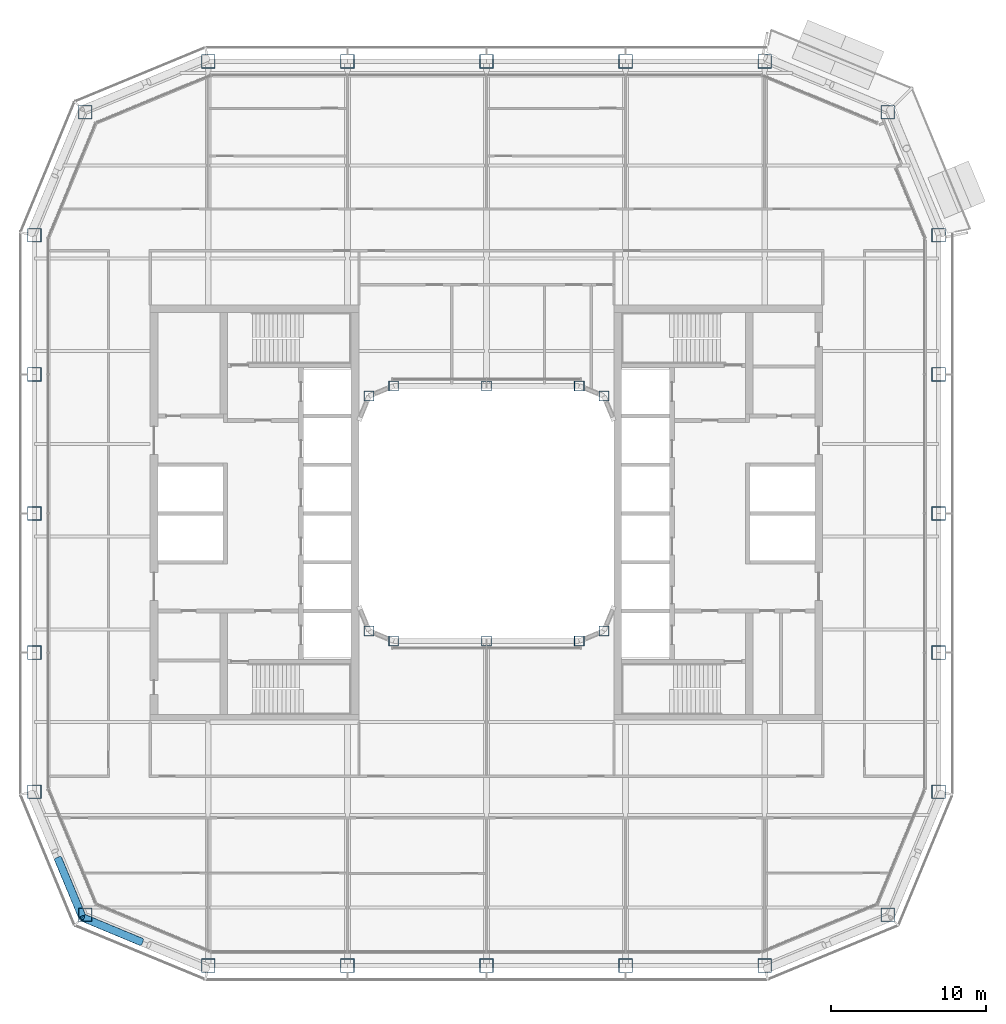
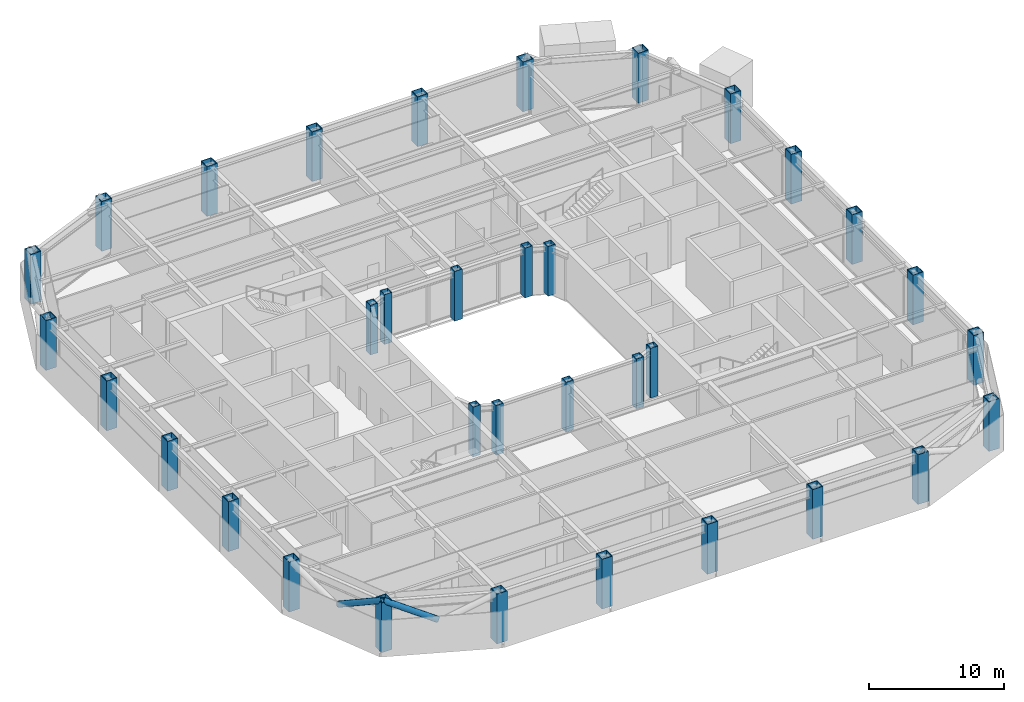
# One storey, part 1 of 24: 34 columns, 2 members.
"""IFC4 building model written with IfcOpenShell, lengths in metres."""

from ifc_helpers import new_model, si_unit, direction, frame, origin, origin_2d, place, context, subcontext, project, spatial, hollow_rectangle, hollow_circle, extrude, material, material_profile, profile_set, type_object, element, save


model = new_model("IFC4")

# Units and contexts
model_context = context("Model", 3, precision=1e-05, world=origin(), true_north=direction((0.0, 1.0)))
body_context = subcontext(model_context, "Body", "Model", "MODEL_VIEW")
ifc_project = project(units=[si_unit("LENGTHUNIT", "METRE"), si_unit("AREAUNIT", "SQUARE_METRE"), si_unit("VOLUMEUNIT", "CUBIC_METRE"), si_unit("PLANEANGLEUNIT", "RADIAN"), si_unit("MASSUNIT", "GRAM", prefix="KILO")], contexts=[model_context])

# Site, building, storey
site_placement = place(None, origin())
site = spatial("IfcSite", under=ifc_project, at=site_placement, CompositionType="ELEMENT")
building_placement = place(site_placement, origin())
building = spatial("IfcBuilding", under=site, at=building_placement, Name="Siwar Civic Tower", CompositionType="ELEMENT")
storey_placement = place(building_placement, frame((0.0, 0.0, 149.699951171875)))
storey = spatial("IfcBuildingStorey", under=building, at=storey_placement, Name="L32", CompositionType="ELEMENT", Elevation=149.699951171875)

# Columns
ifc_material_1 = material(Name="Steel S355", Category="steel")
ifc_material_profile_1 = material_profile(ifc_material_1, hollow_rectangle(XDim=0.89990234375, YDim=0.89990234375, WallThickness=0.050048828125, at=origin_2d()), Name="BOX900x900x50")
ifc_profile_set_1 = profile_set([ifc_material_profile_1], Name="Steel S355")
column_type_1 = type_object("IfcColumnType", Name="STR-COL-BOX900x900x50", PredefinedType="COLUMN", material=ifc_profile_set_1)
for number, where, z_axis, x_axis, name in (
    (1, (-18.0, -29.25, 0.0), (0.0, 0.0, 1.0), (1.0, 0.0, 0.0), "L32/col/S-0"),
    (2, (-9.0, -29.25, 0.0), (0.0, 0.0, 1.0), (1.0, 0.0, 0.0), "L32/col/S-1"),
    (3, (0.0, -29.25, 0.0), (0.0, 0.0, 1.0), (1.0, 0.0, 0.0), "L32/col/S-2"),
    (4, (9.0, -29.25, 0.0), (0.0, 0.0, 1.0), (1.0, 0.0, 0.0), "L32/col/S-3"),
    (5, (18.0, -29.25, 0.0), (0.0, 0.0, 1.0), (1.0, 0.0, 0.0), "L32/col/SE1-0"),
    (6, (25.954833984375, -25.954833984375, 0.0), (0.0, 0.0, 1.0), (1.0, 0.0, 0.0), "L32/col/SE2-0"),
    (7, (29.25, -18.0, 0.0), (0.0, 0.0, 1.0), (1.0, 0.0, 0.0), "L32/col/E-0"),
    (8, (29.25, -9.0, 0.0), (0.0, 0.0, 1.0), (1.0, 0.0, 0.0), "L32/col/E-1"),
    (9, (29.25, 0.0, 0.0), (0.0, 0.0, 1.0), (1.0, 0.0, 0.0), "L32/col/E-2"),
    (10, (29.25, 9.0, 0.0), (0.0, 0.0, 1.0), (1.0, 0.0, 0.0), "L32/col/E-3"),
    (11, (29.25, 18.0, 0.0), (0.0, 0.0, 1.0), (1.0, 0.0, 0.0), "L32/col/NE1-0"),
    (12, (25.954833984375, 25.954833984375, 0.0), (0.0, 0.0, 1.0), (1.0, 0.0, 0.0), "L32/col/NE2-0"),
    (13, (18.0, 29.25, 0.0), (0.0, 0.0, 1.0), (1.0, 0.0, 0.0), "L32/col/N-0"),
    (14, (9.0, 29.25, 0.0), (0.0, 0.0, 1.0), (1.0, 0.0, 0.0), "L32/col/N-1"),
    (15, (0.0, 29.25, 0.0), (0.0, 0.0, 1.0), (1.0, 0.0, 0.0), "L32/col/N-2"),
    (16, (-9.0, 29.25, 0.0), (0.0, 0.0, 1.0), (1.0, 0.0, 0.0), "L32/col/N-3"),
    (17, (-18.0, 29.25, 0.0), (0.0, 0.0, 1.0), (1.0, 0.0, 0.0), "L32/col/NW1-0"),
    (18, (-25.954833984375, 25.954833984375, 0.0), (0.0, 0.0, 1.0), (1.0, 0.0, 0.0), "L32/col/NW2-0"),
    (19, (-29.25, 18.0, 0.0), (0.0, 0.0, 1.0), (1.0, 0.0, 0.0), "L32/col/W-0"),
    (20, (-29.25, 9.0, 0.0), (0.0, 0.0, 1.0), (1.0, 0.0, 0.0), "L32/col/W-1"),
    (21, (-29.25, 0.0, 0.0), (0.0, 0.0, 1.0), (1.0, 0.0, 0.0), "L32/col/W-2"),
    (22, (-29.25, -9.0, 0.0), (0.0, 0.0, 1.0), (1.0, 0.0, 0.0), "L32/col/W-3"),
    (23, (-29.25, -18.0, 0.0), (0.0, 0.0, 1.0), (1.0, 0.0, 0.0), "L32/col/SW1-0"),
    (24, (-25.954833984375, -25.954833984375, 0.0), (0.0, 0.0, 1.0), (1.0, 0.0, 0.0), "L32/col/SW2-0"),
):
    element("IfcColumn", number, at=place(storey_placement, frame(where, z_axis=z_axis, x_axis=x_axis)), inside=storey, type_object=column_type_1, Name=name, PredefinedType="COLUMN", context=body_context, shape_type="SweptSolid", body=[
        extrude(hollow_rectangle(XDim=0.89990234375, YDim=0.89990234375, WallThickness=0.050048828125, at=origin_2d()), origin(), (0.0, 0.0, 1.0), 4.5),
    ])
ifc_material_2 = material(Name="Steel S355", Category="steel")
ifc_material_profile_2 = material_profile(ifc_material_2, hollow_rectangle(XDim=0.64990234375, YDim=0.64990234375, WallThickness=0.035888671875, at=origin_2d()), Name="BOX650x650x36")
ifc_profile_set_2 = profile_set([ifc_material_profile_2], Name="Steel S355")
column_type_2 = type_object("IfcColumnType", Name="STR-ICOL-BOX650x650x36", PredefinedType="COLUMN", material=ifc_profile_set_2)
for number, where, z_axis, x_axis, name in (
    (25, (-7.591064453125, -7.591064453125, 0.0), (0.0, 0.0, 1.0), (1.0, 0.0, 0.0), "L32/col/IS-0"),
    (26, (-6.0, -8.25, 0.0), (0.0, 0.0, 1.0), (1.0, 0.0, 0.0), "L32/col/IS-1"),
    (27, (0.0, -8.25, 0.0), (0.0, 0.0, 1.0), (1.0, 0.0, 0.0), "L32/col/IS-2"),
    (28, (6.0, -8.25, 0.0), (0.0, 0.0, 1.0), (1.0, 0.0, 0.0), "L32/col/IS-3"),
    (29, (7.591064453125, -7.591064453125, 0.0), (0.0, 0.0, 1.0), (1.0, 0.0, 0.0), "L32/col/IS-4"),
    (30, (-7.591064453125, 7.591064453125, 0.0), (0.0, 0.0, 1.0), (1.0, 0.0, 0.0), "L32/col/IN-0"),
    (31, (-6.0, 8.25, 0.0), (0.0, 0.0, 1.0), (1.0, 0.0, 0.0), "L32/col/IN-1"),
    (32, (0.0, 8.25, 0.0), (0.0, 0.0, 1.0), (1.0, 0.0, 0.0), "L32/col/IN-2"),
    (33, (6.0, 8.25, 0.0), (0.0, 0.0, 1.0), (1.0, 0.0, 0.0), "L32/col/IN-3"),
    (34, (7.591064453125, 7.591064453125, 0.0), (0.0, 0.0, 1.0), (1.0, 0.0, 0.0), "L32/col/IN-4"),
):
    element("IfcColumn", number, at=place(storey_placement, frame(where, z_axis=z_axis, x_axis=x_axis)), inside=storey, type_object=column_type_2, Name=name, PredefinedType="COLUMN", context=body_context, shape_type="SweptSolid", body=[
        extrude(hollow_rectangle(XDim=0.64990234375, YDim=0.64990234375, WallThickness=0.035888671875, at=origin_2d()), origin(), (0.0, 0.0, 1.0), 4.5),
    ])

# Members
ifc_material_3 = material(Name="Steel S355", Category="steel")
ifc_material_profile_3 = material_profile(ifc_material_3, hollow_circle(Radius=0.25390625, WallThickness=0.02490234375, at=origin_2d()), Name="CHS508x25")
ifc_profile_set_3 = profile_set([ifc_material_profile_3], Name="Steel S355")
member_type = type_object("IfcMemberType", Name="STR-BR-CHS508x25", PredefinedType="BRACE", material=ifc_profile_set_3)
for number, where, z_axis, x_axis, name in (
    (35, (-22.342529296875, -27.70849609375, 2.390625), (-0.821163134736, 0.341670737976, 0.457112910516), (-0.384154943021, -0.923268638995, 0.0), "L32/brc/BSW1-11-0-3"),
    (36, (-27.70849609375, -22.342529296875, 2.390625), (0.341670737976, -0.821163134736, 0.457112910516), (0.923268638995, 0.384154943021, 0.0), "L32/brc/BSW1-11-0-5"),
):
    element("IfcMember", number, at=place(storey_placement, frame(where, z_axis=z_axis, x_axis=x_axis)), inside=storey, type_object=member_type, Name=name, PredefinedType="BRACE", context=body_context, shape_type="SweptSolid", body=[
        extrude(hollow_circle(Radius=0.25390625, WallThickness=0.02490234375, at=origin_2d()), origin(), (0.0, 0.0, 1.0), 4.614501953125),
    ])

save(model, "model.ifc")
